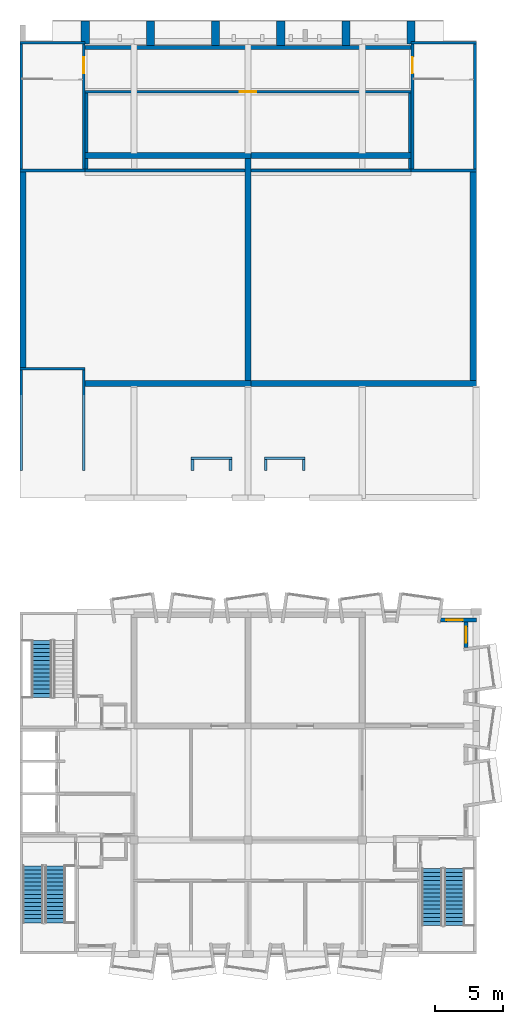
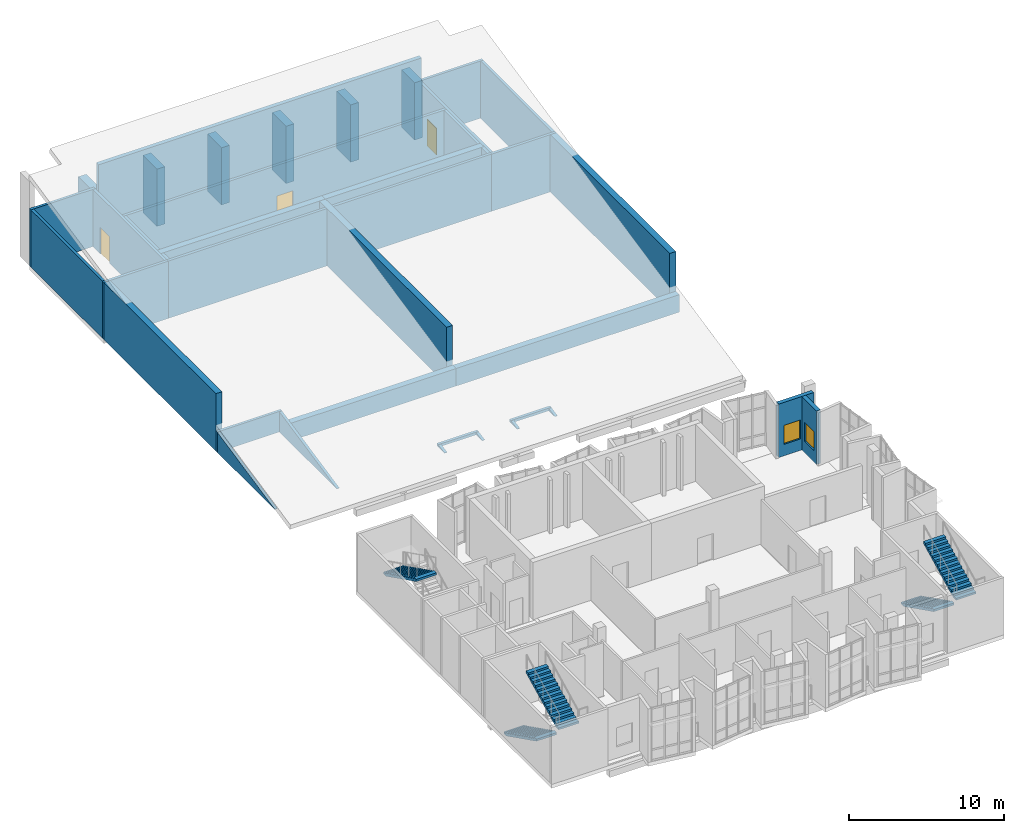
# One storey, part 13 of 19: 40 walls, 5 stair flights, 3 doors, 2 windows, 5 openings, 3 elements without a shape of their own.
"""IFC4 building model written with IfcOpenShell, lengths in metres."""

import ifcopenshell
import ifcopenshell.guid

model = None  # the IFC model being written
_history = None  # IfcOwnerHistory: only IFC2X3 demands one
_inside = {}  # id of a spatial element -> (the spatial element, [elements in it])
_under = {}  # id of a project, library or spatial element -> (it, [spatial elements below it])
_declared = {}  # id of a project -> (the project, [libraries it declares])
_typed = {}  # id of a type object -> (the type object, [elements of that type])
_made_of = {}  # id of a material, layer set ... -> (it, [elements and type objects made of it])


def new_model(schema):
    """Start an empty IFC model of exactly this schema.

    Asked for "IFC4X3", IfcOpenShell would pick the latest addendum, in which some entities
    have other attributes; the version numbers below select the first issue.
    IFC2X3 requires an IfcOwnerHistory on every rooted entity: one is made here for all.
    """
    global model, _history
    if schema == "IFC4X3":
        model = ifcopenshell.file(schema_version=(4, 3, 0, 0))
    else:
        model = ifcopenshell.file(schema=schema)
    _inside.clear()
    _under.clear()
    _declared.clear()
    _typed.clear()
    _made_of.clear()
    _history = None
    if model.schema == "IFC2X3":
        org = make("IfcOrganization", Name="unknown")
        user = make(
            "IfcPersonAndOrganization",
            ThePerson=make("IfcPerson", FamilyName="unknown"),
            TheOrganization=org,
        )
        app = make(
            "IfcApplication",
            ApplicationDeveloper=org,
            Version="unknown",
            ApplicationFullName="unknown",
            ApplicationIdentifier="unknown",
        )
        _history = make(
            "IfcOwnerHistory",
            OwningUser=user,
            OwningApplication=app,
            ChangeAction="ADDED",
            CreationDate=0,
        )
    return model


def make(cls, **values):
    """One entity of the class cls with the attributes given. An attribute that is None is left unset."""
    return model.create_entity(
        cls, **{name: value for name, value in values.items() if value is not None}
    )


def rooted(cls, **values):
    """An entity with a GlobalId (a new one), such as an element, a storey or a relation."""
    return make(cls, GlobalId=ifcopenshell.guid.new(), OwnerHistory=_history, **values)


def si_unit(unit_type, name, prefix=None):
    """IfcSIUnit, for example si_unit("LENGTHUNIT", "METRE", prefix="MILLI")."""
    return make("IfcSIUnit", UnitType=unit_type, Prefix=prefix, Name=name)


def assignment(units):
    """IfcUnitAssignment: the units of a project."""
    return None if units is None else make("IfcUnitAssignment", Units=units)


def point(xyz):
    """IfcCartesianPoint."""
    return None if xyz is None else make("IfcCartesianPoint", Coordinates=xyz)


def direction(xyz):
    """IfcDirection."""
    return None if xyz is None else make("IfcDirection", DirectionRatios=xyz)


def frame(location, z_axis=None, x_axis=None):
    """IfcAxis2Placement3D, a coordinate frame: its origin and axes. An axis left out is left unset."""
    return make(
        "IfcAxis2Placement3D",
        Location=point(location),
        Axis=direction(z_axis),
        RefDirection=direction(x_axis),
    )


def frame_2d(location, x_axis=None):
    """IfcAxis2Placement2D, a coordinate frame in the plane: its origin and x axis."""
    return make(
        "IfcAxis2Placement2D", Location=point(location), RefDirection=direction(x_axis)
    )


def origin():
    """The frame at (0, 0, 0) with its axes left unset."""
    return frame((0.0, 0.0, 0.0))


def place(relative_to, where):
    """IfcLocalPlacement: puts the frame where relative to a parent placement (None: the world)."""
    return make(
        "IfcLocalPlacement", PlacementRelTo=relative_to, RelativePlacement=where
    )


def context(
    kind, dimensions, precision=None, world=None, true_north=None, identifier=None
):
    """IfcGeometricRepresentationContext, for example the 3D "Model" context."""
    return make(
        "IfcGeometricRepresentationContext",
        ContextIdentifier=identifier,
        ContextType=kind,
        CoordinateSpaceDimension=dimensions,
        Precision=precision,
        WorldCoordinateSystem=world,
        TrueNorth=true_north,
    )


def subcontext(parent, identifier, kind, view, scale=None):
    """IfcGeometricRepresentationSubContext, for example "Body" below "Model"."""
    return make(
        "IfcGeometricRepresentationSubContext",
        ContextIdentifier=identifier,
        ContextType=kind,
        ParentContext=parent,
        TargetScale=scale,
        TargetView=view,
    )


def project(units=None, contexts=None):
    """IfcProject with its units and contexts."""
    return rooted(
        "IfcProject",
        Name="project",
        RepresentationContexts=contexts,
        UnitsInContext=assignment(units),
    )


def spatial(cls, under=None, at=None, **own):
    """A site, building, storey or space (cls), placed at a placement, below another one or the project."""
    s = rooted(cls, ObjectPlacement=at, **own)
    if under is not None:
        _under.setdefault(under.id(), (under, []))[1].append(s)
    return s


def polyline(points):
    """IfcPolyline through the points."""
    return make("IfcPolyline", Points=[point(p) for p in points])


def profile(cls, at=None, kind="AREA", **sizes):
    """A parametric profile (cls). Its sizes go by their IFC names, for example OverallWidth=200.0."""
    return make(cls, ProfileType=kind, Position=at, **sizes)


def rectangle(**sizes):
    """IfcRectangleProfileDef."""
    return profile("IfcRectangleProfileDef", **sizes)


def outline(outer, holes=None, kind="AREA"):
    """IfcArbitraryClosedProfileDef: a profile drawn as a closed curve; with holes, ...WithVoids."""
    if holes is None:
        return make("IfcArbitraryClosedProfileDef", ProfileType=kind, OuterCurve=outer)
    return make(
        "IfcArbitraryProfileDefWithVoids",
        ProfileType=kind,
        OuterCurve=outer,
        InnerCurves=holes,
    )


def extrude(swept, where, along, depth):
    """IfcExtrudedAreaSolid: the profile swept, set in the frame where, extruded along a direction by depth."""
    return make(
        "IfcExtrudedAreaSolid",
        SweptArea=swept,
        Position=where,
        ExtrudedDirection=direction(along),
        Depth=depth,
    )


def shape(context_of_items, identifier, shape_type, items):
    """IfcShapeRepresentation: the items that make up one representation, for example the "Body"."""
    return make(
        "IfcShapeRepresentation",
        ContextOfItems=context_of_items,
        RepresentationIdentifier=identifier,
        RepresentationType=shape_type,
        Items=items,
    )


def material(Name=None, Category=None):
    """IfcMaterial."""
    return make("IfcMaterial", Name=Name, Category=Category)


def layer(
    of_material, thickness, ventilated=None, Name=None, Category=None, Priority=None
):
    """IfcMaterialLayer: one layer of a wall or slab, of a material (None: an air gap)."""
    return make(
        "IfcMaterialLayer",
        Material=of_material,
        LayerThickness=thickness,
        IsVentilated=ventilated,
        Name=Name,
        Category=Category,
        Priority=Priority,
    )


def layer_set(layers, Name=None):
    """IfcMaterialLayerSet."""
    return make("IfcMaterialLayerSet", MaterialLayers=layers, LayerSetName=Name)


def made_of(thing, what):
    """Note that an element or type object is made of a material, layer set ...; save() writes the relation."""
    if what is not None:
        _made_of.setdefault(what.id(), (what, []))[1].append(thing)
    return thing


def type_object(cls, material=None, **own):
    """A type object (cls), such as IfcWallType, which elements share."""
    return made_of(rooted(cls, **own), material)


def element(
    cls,
    number,
    at=None,
    inside=None,
    cuts=None,
    type_object=None,
    material=None,
    context=None,
    identifier="Body",
    shape_type=None,
    held_by="IfcProductDefinitionShape",
    body=None,
    shapes=None,
    **own,
):
    """One element of the class cls, such as IfcWall. Its Tag is "e" and its number.

    at: its placement. inside: the storey or other place that contains it. cuts: it is an
    opening in that element (IfcRelVoidsElement). A single representation is given by context,
    identifier, shape_type and body (its items); several are given by shapes. held_by: the class
    of the entity that holds the representations. save() writes the other relations.
    """
    e = rooted(cls, Tag="e%d" % number, ObjectPlacement=at, **own)
    if body is not None:
        shapes = [shape(context, identifier, shape_type, body)]
    if shapes is not None:
        e.Representation = make(held_by, Representations=shapes)
    if inside is not None:
        _inside.setdefault(inside.id(), (inside, []))[1].append(e)
    if cuts is not None:
        rooted(
            "IfcRelVoidsElement", RelatingBuildingElement=cuts, RelatedOpeningElement=e
        )
    if type_object is not None:
        _typed.setdefault(type_object.id(), (type_object, []))[1].append(e)
    return made_of(e, material)


def fill(opening, filler):
    """IfcRelFillsElement: the door or window that sits in an opening."""
    return rooted(
        "IfcRelFillsElement",
        RelatingOpeningElement=opening,
        RelatedBuildingElement=filler,
    )


def aggregate(whole, parts):
    """IfcRelAggregates: a whole, such as a stair, and the parts it consists of."""
    return rooted("IfcRelAggregates", RelatingObject=whole, RelatedObjects=parts)


def save(model, path):
    """Write the relations noted so far, then the file.

    IfcRelAggregates (storeys below a building ...), IfcRelContainedInSpatialStructure (elements
    in a storey), IfcRelDefinesByType, IfcRelAssociatesMaterial and IfcRelDeclares: one each for
    every whole, place, type object, material and project.
    """
    for whole, parts in _under.values():
        aggregate(whole, parts)
    for where, things in _inside.values():
        rooted(
            "IfcRelContainedInSpatialStructure",
            RelatedElements=things,
            RelatingStructure=where,
        )
    for kind, things in _typed.values():
        rooted("IfcRelDefinesByType", RelatedObjects=things, RelatingType=kind)
    for what, things in _made_of.values():
        rooted("IfcRelAssociatesMaterial", RelatedObjects=things, RelatingMaterial=what)
    for by, libraries in _declared.values():
        rooted("IfcRelDeclares", RelatingContext=by, RelatedDefinitions=libraries)
    model.write(path)


model = new_model("IFC4")

# Units and contexts
model_context = context("Model", 3, precision=1e-05, world=origin(), true_north=direction((0.0, 1.0)))
body_context = subcontext(model_context, "Body", "Model", "MODEL_VIEW")
ifc_project = project(units=[si_unit("LENGTHUNIT", "METRE"), si_unit("AREAUNIT", "SQUARE_METRE"), si_unit("VOLUMEUNIT", "CUBIC_METRE"), si_unit("PLANEANGLEUNIT", "RADIAN"), si_unit("MASSUNIT", "GRAM", prefix="KILO")], contexts=[model_context])

# Site, building, storey
site_placement = place(None, origin())
site = spatial("IfcSite", under=ifc_project, at=site_placement, CompositionType="ELEMENT")
building_placement = place(site_placement, origin())
building = spatial("IfcBuilding", under=site, at=building_placement, Name="Kiln Court Media Centre", CompositionType="ELEMENT")
storey_placement = place(building_placement, frame((0.0, 0.0, 29.10009765625)))
storey = spatial("IfcBuildingStorey", under=building, at=storey_placement, Name="L06", CompositionType="ELEMENT", Elevation=29.10009765625)

# Wall, opening, window
ifc_material_1 = material(Name="Brick masonry facing leaf with RC backing", Category="masonry")
ifc_layer_1 = layer(ifc_material_1, 0.300048828125)
ifc_layer_set_1 = layer_set([ifc_layer_1], Name="Brick masonry cavity wall 300")
wall_type_1 = type_object("IfcWallType", Name="Brick masonry cavity wall 300", PredefinedType="SOLIDWALL", material=ifc_layer_set_1)
wall_1_placement = place(storey_placement, frame((32.85009765625, 24.449951171875, 0.0), z_axis=(0.0, 0.0, 1.0), x_axis=(0.0, -1.0, 0.0)))
wall_1 = element("IfcWall", 1, at=wall_1_placement, inside=storey, type_object=wall_type_1, Name="V6A-E facade L06 3009", PredefinedType="SOLIDWALL", context=body_context, shape_type="SweptSolid", body=[
    extrude(rectangle(XDim=1.88916015625, YDim=0.300048828125, at=frame_2d((0.944580078125, 0.0))), origin(), (0.0, 0.0, 1.0), 4.199951171875),
])
opening_1_placement = place(wall_1_placement, frame((0.344482421875, 0.0, 0.89990234375)))
opening_1 = element("IfcOpeningElement", 2, at=opening_1_placement, cuts=wall_1, Name="Opening WN6002", PredefinedType="OPENING", context=body_context, shape_type="SweptSolid", body=[
    extrude(rectangle(XDim=1.199951171875, YDim=1.5, at=frame_2d((0.60009765625, 0.75))), frame((0.0, 0.159912109375, 0.0), z_axis=(0.0, -1.0, 0.0), x_axis=(1.0, 0.0, 0.0)), (0.0, 0.0, 1.0), 0.320068359375),
])
ifc_material_2 = material(Name="Aluminium 6063-T6", Category="aluminium")
window_type = type_object("IfcWindowType", Name="Aluminium window 1200x1500", PartitioningType="DOUBLE_PANEL_VERTICAL", PredefinedType="WINDOW", material=ifc_material_2)
window_1_placement = place(opening_1_placement, origin())
window_1 = element("IfcWindow", 3, at=window_1_placement, inside=storey, type_object=window_type, Name="WB window WN6002", OverallHeight=1.5, OverallWidth=1.199951171875, PartitioningType="SINGLE_PANEL", PredefinedType="WINDOW", context=body_context, shape_type="SweptSolid", body=[
    extrude(rectangle(XDim=1.199951171875, YDim=1.5, at=frame_2d((0.60009765625, 0.75))), frame((0.0, 0.030029296875, 0.0), z_axis=(0.0, -1.0, 0.0), x_axis=(1.0, 0.0, 0.0)), (0.0, 0.0, 1.0), 0.06005859375),
])
fill(opening_1, window_1)

wall_2_placement = place(storey_placement, frame((30.98193359375, 24.60009765625, 0.0), z_axis=(0.0, 0.0, 1.0), x_axis=(1.0, 0.0, 0.0)))
wall_2 = element("IfcWall", 4, at=wall_2_placement, inside=storey, type_object=wall_type_1, Name="V6A-N facade L06 3023", PredefinedType="SOLIDWALL", context=body_context, shape_type="SweptSolid", body=[
    extrude(rectangle(XDim=2.6181640625, YDim=0.300048828125, at=frame_2d((1.30908203125, 0.0))), origin(), (0.0, 0.0, 1.0), 4.199951171875),
])
opening_2_placement = place(wall_2_placement, frame((0.408935546875, 0.0, 0.89990234375)))
opening_2 = element("IfcOpeningElement", 5, at=opening_2_placement, cuts=wall_2, Name="Opening WN6003", PredefinedType="OPENING", context=body_context, shape_type="SweptSolid", body=[
    extrude(rectangle(XDim=1.199951171875, YDim=1.5, at=frame_2d((0.60009765625, 0.75))), frame((0.0, 0.159912109375, 0.0), z_axis=(0.0, -1.0, 0.0), x_axis=(1.0, 0.0, 0.0)), (0.0, 0.0, 1.0), 0.320068359375),
])
window_2_placement = place(opening_2_placement, origin())
window_2 = element("IfcWindow", 6, at=window_2_placement, inside=storey, type_object=window_type, Name="WB window WN6003", OverallHeight=1.5, OverallWidth=1.199951171875, PartitioningType="SINGLE_PANEL", PredefinedType="WINDOW", context=body_context, shape_type="SweptSolid", body=[
    extrude(rectangle(XDim=1.199951171875, YDim=1.5, at=frame_2d((0.60009765625, 0.75))), frame((0.0, 0.030029296875, 0.0), z_axis=(0.0, -1.0, 0.0), x_axis=(1.0, 0.0, 0.0)), (0.0, 0.0, 1.0), 0.06005859375),
])
fill(opening_2, window_2)

# Walls
ifc_material_3 = material(Name="Concrete C40/50", Category="concrete")
ifc_layer_2 = layer(ifc_material_3, 0.449951171875)
ifc_layer_set_2 = layer_set([ifc_layer_2], Name="Concrete C40/50 auditorium wall 450")
wall_type_2 = type_object("IfcWallType", Name="Concrete C40/50 auditorium wall 450", PredefinedType="SHEAR", material=ifc_layer_set_2)
wall_3_placement = place(storey_placement, frame((17.02490234375, 42.0, 0.0), z_axis=(0.0, 0.0, 1.0), x_axis=(-1.0, 0.0, 0.0)))
element("IfcWall", 7, at=wall_3_placement, inside=storey, type_object=wall_type_2, Name="L06-W-1039", PredefinedType="SHEAR", context=body_context, shape_type="SweptSolid", body=[
    extrude(rectangle(XDim=12.224853515625, YDim=0.449951171875, at=frame_2d((6.1123046875, 0.0))), origin(), (0.0, 0.0, 1.0), 1.37646484375),
])
wall_4_placement = place(storey_placement, frame((4.800048828125, 58.800048828125, 0.0), z_axis=(0.0, 0.0, 1.0), x_axis=(1.0, 0.0, 0.0)))
element("IfcWall", 8, at=wall_4_placement, inside=storey, type_object=wall_type_2, Name="L06-W-1040", PredefinedType="SHEAR", context=body_context, shape_type="SweptSolid", body=[
    extrude(rectangle(XDim=12.224853515625, YDim=0.449951171875, at=frame_2d((6.1123046875, 0.0))), origin(), (0.0, 0.0, 1.0), 4.5),
])
wall_5_placement = place(storey_placement, frame((0.225341796875, 43.199951171875, 0.0), z_axis=(0.0, 0.0, 1.0), x_axis=(0.0, 1.0, 0.0)))
element("IfcWall", 9, at=wall_5_placement, inside=storey, type_object=wall_type_2, Name="L06-W-1041", PredefinedType="SHEAR", context=body_context, shape_type="SweptSolid", body=[
    extrude(rectangle(XDim=14.400146484375, YDim=0.449951171875, at=frame_2d((7.2001953125, 0.0))), origin(), (0.0, 0.0, 1.0), 4.5),
])
wall_6_placement = place(storey_placement, frame((16.800048828125, 58.574951171875, 0.0), z_axis=(0.0, 0.0, 1.0), x_axis=(0.0, -1.0, 0.0)))
element("IfcWall", 10, at=wall_6_placement, inside=storey, type_object=wall_type_2, Name="L06-W-1042", PredefinedType="SHEAR", context=body_context, shape_type="SweptSolid", body=[
    extrude(rectangle(XDim=16.349853515625, YDim=0.449951171875, at=frame_2d((8.1748046875, 0.0))), origin(), (0.0, 0.0, 1.0), 4.5),
])
wall_7_placement = place(storey_placement, frame((33.60009765625, 42.0, 0.0), z_axis=(0.0, 0.0, 1.0), x_axis=(-1.0, 0.0, 0.0)))
element("IfcWall", 11, at=wall_7_placement, inside=storey, type_object=wall_type_2, Name="L06-W-1043", PredefinedType="SHEAR", context=body_context, shape_type="SweptSolid", body=[
    extrude(rectangle(XDim=16.5751953125, YDim=0.449951171875, at=frame_2d((8.28759765625, 0.0))), origin(), (0.0, 0.0, 1.0), 1.37646484375),
])
wall_8_placement = place(storey_placement, frame((17.02490234375, 58.800048828125, 0.0), z_axis=(0.0, 0.0, 1.0), x_axis=(1.0, 0.0, 0.0)))
element("IfcWall", 12, at=wall_8_placement, inside=storey, type_object=wall_type_2, Name="L06-W-1044", PredefinedType="SHEAR", context=body_context, shape_type="SweptSolid", body=[
    extrude(rectangle(XDim=11.775146484375, YDim=0.449951171875, at=frame_2d((5.8876953125, 0.0))), origin(), (0.0, 0.0, 1.0), 4.5),
])
wall_9_placement = place(storey_placement, frame((33.375, 57.60009765625, 0.0), z_axis=(0.0, 0.0, 1.0), x_axis=(0.0, -1.0, 0.0)))
element("IfcWall", 13, at=wall_9_placement, inside=storey, type_object=wall_type_2, Name="L06-W-1045", PredefinedType="SHEAR", context=body_context, shape_type="SweptSolid", body=[
    extrude(rectangle(XDim=15.375, YDim=0.449951171875, at=frame_2d((7.6875, 0.0))), origin(), (0.0, 0.0, 1.0), 4.5),
])
ifc_material_4 = material(Name="Concrete C40/50", Category="concrete")
ifc_layer_3 = layer(ifc_material_4, 0.300048828125)
ifc_layer_set_3 = layer_set([ifc_layer_3], Name="Concrete C40/50 board-marked facade wall 300")
wall_type_3 = type_object("IfcWallType", Name="Concrete C40/50 board-marked facade wall 300", PredefinedType="SOLIDWALL", material=ifc_layer_set_3)
wall_10_placement = place(storey_placement, frame((4.800048828125, 66.75, 0.0), z_axis=(0.0, 0.0, 1.0), x_axis=(1.0, 0.0, 0.0)))
element("IfcWall", 14, at=wall_10_placement, inside=storey, type_object=wall_type_3, Name="V4 N facade wall 4000", PredefinedType="SOLIDWALL", context=body_context, shape_type="SweptSolid", body=[
    extrude(rectangle(XDim=24.0, YDim=0.300048828125, at=frame_2d((12.0, 0.0))), origin(), (0.0, 0.0, 1.0), 6.603515625),
])
ifc_material_5 = material(Name="Concrete C40/50", Category="concrete")
ifc_layer_4 = layer(ifc_material_5, 0.60009765625)
ifc_layer_set_4 = layer_set([ifc_layer_4], Name="Concrete C40/50 cast rib 600x1500")
wall_type_4 = type_object("IfcWallType", Name="Concrete C40/50 cast rib 600x1500", PredefinedType="SOLIDWALL", material=ifc_layer_set_4)
wall_11_placement = place(storey_placement, frame((4.800048828125, 67.0, 0.0), z_axis=(0.0, 0.0, 1.0), x_axis=(0.0, 1.0, 0.0)))
element("IfcWall", 15, at=wall_11_placement, inside=storey, type_object=wall_type_4, Name="V4 N cast rib 1", PredefinedType="SOLIDWALL", context=body_context, shape_type="SweptSolid", body=[
    extrude(rectangle(XDim=1.699951171875, YDim=0.60009765625, at=frame_2d((0.85009765625, 0.0))), origin(), (0.0, 0.0, 1.0), 4.5),
])
for number, where, z_axis, x_axis, name in (
    (16, (9.60009765625, 66.89990234375, 0.0), (0.0, 0.0, 1.0), (0.0, 1.0, 0.0), "V4 N cast rib 2"),
    (17, (14.39990234375, 66.89990234375, 0.0), (0.0, 0.0, 1.0), (0.0, 1.0, 0.0), "V4 N cast rib 3"),
    (18, (19.199951171875, 66.89990234375, 0.0), (0.0, 0.0, 1.0), (0.0, 1.0, 0.0), "V4 N cast rib 4"),
    (19, (24.0, 66.89990234375, 0.0), (0.0, 0.0, 1.0), (0.0, 1.0, 0.0), "V4 N cast rib 5"),
):
    element("IfcWall", number, at=place(storey_placement, frame(where, z_axis=z_axis, x_axis=x_axis)), inside=storey, type_object=wall_type_4, Name=name, PredefinedType="SOLIDWALL", context=body_context, shape_type="SweptSolid", body=[
        extrude(rectangle(XDim=1.800048828125, YDim=0.60009765625, at=frame_2d((0.89990234375, 0.0))), origin(), (0.0, 0.0, 1.0), 4.5),
    ])
wall_12_placement = place(storey_placement, frame((28.800048828125, 67.0, 0.0), z_axis=(0.0, 0.0, 1.0), x_axis=(0.0, 1.0, 0.0)))
element("IfcWall", 20, at=wall_12_placement, inside=storey, type_object=wall_type_4, Name="V4 N cast rib 6", PredefinedType="SOLIDWALL", context=body_context, shape_type="SweptSolid", body=[
    extrude(rectangle(XDim=1.699951171875, YDim=0.60009765625, at=frame_2d((0.85009765625, 0.0))), origin(), (0.0, 0.0, 1.0), 4.5),
])
ifc_material_6 = material(Name="Concrete C40/50", Category="concrete")
ifc_layer_5 = layer(ifc_material_6, 0.199951171875)
ifc_layer_set_5 = layer_set([ifc_layer_5], Name="Concrete C40/50 shear wall 200")
wall_type_5 = type_object("IfcWallType", Name="Concrete C40/50 shear wall 200", PredefinedType="SHEAR", material=ifc_layer_set_5)
wall_13_placement = place(storey_placement, frame((0.00048828125, 43.10009765625, 0.0), z_axis=(0.0, 0.0, 1.0), x_axis=(1.0, 0.0, 0.0)))
element("IfcWall", 21, at=wall_13_placement, inside=storey, type_object=wall_type_5, Name="L06-W-1012", PredefinedType="SHEAR", context=body_context, shape_type="SweptSolid", body=[
    extrude(rectangle(XDim=4.799560546875, YDim=0.199951171875, at=frame_2d((2.39990234375, 0.0))), origin(), (0.0, 0.0, 1.0), 1.6103515625),
])
wall_14_placement = place(storey_placement, frame((0.100341796875, 35.6181640625, 0.0), z_axis=(0.0, 0.0, 1.0), x_axis=(0.0, 1.0, 0.0)))
element("IfcWall", 22, at=wall_14_placement, inside=storey, type_object=wall_type_5, Name="L06-W-1013", PredefinedType="SHEAR", context=body_context, shape_type="SweptSolid", body=[
    extrude(outline(polyline([(0.0, 0.0), (7.3818359375, 0.0), (7.3818359375, 1.589111328125), (0.0, 0.02001953125), (0.0, 0.0)])), frame((0.0, 0.10009765625, 0.0), z_axis=(0.0, -1.0, 0.0), x_axis=(1.0, 0.0, 0.0)), (0.0, 0.0, 1.0), 0.199951171875),
])
wall_15_placement = place(storey_placement, frame((4.699951171875, 43.0, 0.0), z_axis=(0.0, 0.0, 1.0), x_axis=(0.0, -1.0, 0.0)))
element("IfcWall", 23, at=wall_15_placement, inside=storey, type_object=wall_type_5, Name="L06-W-1014", PredefinedType="SHEAR", context=body_context, shape_type="SweptSolid", body=[
    extrude(outline(polyline([(0.0, 0.0), (7.3818359375, 0.0), (7.3818359375, 0.02001953125), (0.0, 1.589111328125), (0.0, 0.0)])), frame((0.0, 0.10009765625, 0.0), z_axis=(0.0, -1.0, 0.0), x_axis=(1.0, 0.0, 0.0)), (0.0, 0.0, 1.0), 0.199951171875),
])
for number, where, z_axis, x_axis, name in (
    (24, (4.800048828125, 57.699951171875, 0.0), (0.0, 0.0, 1.0), (-1.0, 0.0, 0.0), "L06-W-1015"),
    (25, (0.00048828125, 67.10009765625, 0.0), (0.0, 0.0, 1.0), (1.0, 0.0, 0.0), "L06-W-1016"),
):
    element("IfcWall", number, at=place(storey_placement, frame(where, z_axis=z_axis, x_axis=x_axis)), inside=storey, type_object=wall_type_5, Name=name, PredefinedType="SHEAR", context=body_context, shape_type="SweptSolid", body=[
        extrude(rectangle(XDim=4.799560546875, YDim=0.199951171875, at=frame_2d((2.39990234375, 0.0))), origin(), (0.0, 0.0, 1.0), 4.5),
    ])
wall_16_placement = place(storey_placement, frame((0.100341796875, 57.800048828125, 0.0), z_axis=(0.0, 0.0, 1.0), x_axis=(0.0, 1.0, 0.0)))
element("IfcWall", 26, at=wall_16_placement, inside=storey, type_object=wall_type_5, Name="L06-W-1017", PredefinedType="SHEAR", context=body_context, shape_type="SweptSolid", body=[
    extrude(rectangle(XDim=9.199951171875, YDim=0.199951171875, at=frame_2d((4.60009765625, 0.0))), origin(), (0.0, 0.0, 1.0), 4.5),
])

# Wall, opening, door
wall_17_placement = place(storey_placement, frame((4.699951171875, 67.0, 0.0), z_axis=(0.0, 0.0, 1.0), x_axis=(0.0, -1.0, 0.0)))
wall_17 = element("IfcWall", 27, at=wall_17_placement, inside=storey, type_object=wall_type_5, Name="L06-W-1018", PredefinedType="SHEAR", context=body_context, shape_type="SweptSolid", body=[
    extrude(rectangle(XDim=9.199951171875, YDim=0.199951171875, at=frame_2d((4.60009765625, 0.0))), origin(), (0.0, 0.0, 1.0), 4.5),
])
opening_3_placement = place(wall_17_placement, frame((0.949951171875, 0.0, 0.0)))
opening_3 = element("IfcOpeningElement", 28, at=opening_3_placement, cuts=wall_17, Name="Opening D6001", PredefinedType="OPENING", context=body_context, shape_type="SweptSolid", body=[
    extrude(rectangle(XDim=1.199951171875, YDim=2.10009765625, at=frame_2d((0.60009765625, 1.050048828125))), frame((0.0, 0.10986328125, 0.0), z_axis=(0.0, -1.0, 0.0), x_axis=(1.0, 0.0, 0.0)), (0.0, 0.0, 1.0), 0.219970703125),
])
ifc_material_7 = material(Name="Steel S275", Category="steel")
door_type_1 = type_object("IfcDoorType", Name="Steel stair door 1200 x 2100 FD180", OperationType="SINGLE_SWING_LEFT", PredefinedType="DOOR", material=ifc_material_7)
door_1_placement = place(opening_3_placement, origin())
door_1 = element("IfcDoor", 29, at=door_1_placement, inside=storey, type_object=door_type_1, Name="Stair 7 / Plant Corridor", OperationType="SINGLE_SWING_RIGHT", OverallHeight=2.10009765625, OverallWidth=1.199951171875, PredefinedType="DOOR", context=body_context, shape_type="SweptSolid", body=[
    extrude(rectangle(XDim=1.199951171875, YDim=2.10009765625, at=frame_2d((0.60009765625, 1.050048828125))), frame((0.0, 0.02490234375, 0.0), z_axis=(0.0, -1.0, 0.0), x_axis=(1.0, 0.0, 0.0)), (0.0, 0.0, 1.0), 0.050048828125),
])
fill(opening_3, door_1)

# Walls
for number, where, z_axis, x_axis, name in (
    (30, (33.60009765625, 57.699951171875, 0.0), (0.0, 0.0, 1.0), (-1.0, 0.0, 0.0), "L06-W-1019"),
    (31, (28.800048828125, 67.10009765625, 0.0), (0.0, 0.0, 1.0), (1.0, 0.0, 0.0), "L06-W-1020"),
):
    element("IfcWall", number, at=place(storey_placement, frame(where, z_axis=z_axis, x_axis=x_axis)), inside=storey, type_object=wall_type_5, Name=name, PredefinedType="SHEAR", context=body_context, shape_type="SweptSolid", body=[
        extrude(rectangle(XDim=4.800048828125, YDim=0.199951171875, at=frame_2d((2.39990234375, 0.0))), origin(), (0.0, 0.0, 1.0), 4.5),
    ])

# Wall, opening, door
wall_18_placement = place(storey_placement, frame((28.89990234375, 57.800048828125, 0.0), z_axis=(0.0, 0.0, 1.0), x_axis=(0.0, 1.0, 0.0)))
wall_18 = element("IfcWall", 32, at=wall_18_placement, inside=storey, type_object=wall_type_5, Name="L06-W-1021", PredefinedType="SHEAR", context=body_context, shape_type="SweptSolid", body=[
    extrude(rectangle(XDim=9.199951171875, YDim=0.199951171875, at=frame_2d((4.60009765625, 0.0))), origin(), (0.0, 0.0, 1.0), 4.5),
])
opening_4_placement = place(wall_18_placement, frame((7.050048828125, 0.0, 0.0)))
opening_4 = element("IfcOpeningElement", 33, at=opening_4_placement, cuts=wall_18, Name="Opening D6023", PredefinedType="OPENING", context=body_context, shape_type="SweptSolid", body=[
    extrude(rectangle(XDim=1.199951171875, YDim=2.10009765625, at=frame_2d((0.60009765625, 1.050048828125))), frame((0.0, 0.10986328125, 0.0), z_axis=(0.0, -1.0, 0.0), x_axis=(1.0, 0.0, 0.0)), (0.0, 0.0, 1.0), 0.219970703125),
])
door_2_placement = place(opening_4_placement, origin())
door_2 = element("IfcDoor", 34, at=door_2_placement, inside=storey, type_object=door_type_1, Name="Stair 8 / Plant Corridor", OperationType="SINGLE_SWING_RIGHT", OverallHeight=2.10009765625, OverallWidth=1.199951171875, PredefinedType="DOOR", context=body_context, shape_type="SweptSolid", body=[
    extrude(rectangle(XDim=1.199951171875, YDim=2.10009765625, at=frame_2d((0.60009765625, 1.050048828125))), frame((0.0, 0.02490234375, 0.0), z_axis=(0.0, -1.0, 0.0), x_axis=(1.0, 0.0, 0.0)), (0.0, 0.0, 1.0), 0.050048828125),
])
fill(opening_4, door_2)

# Walls
wall_19_placement = place(storey_placement, frame((33.5, 67.0, 0.0), z_axis=(0.0, 0.0, 1.0), x_axis=(0.0, -1.0, 0.0)))
element("IfcWall", 35, at=wall_19_placement, inside=storey, type_object=wall_type_5, Name="L06-W-1022", PredefinedType="SHEAR", context=body_context, shape_type="SweptSolid", body=[
    extrude(rectangle(XDim=9.199951171875, YDim=0.199951171875, at=frame_2d((4.60009765625, 0.0))), origin(), (0.0, 0.0, 1.0), 4.5),
])
wall_20_placement = place(storey_placement, frame((12.60009765625, 36.5, 0.0), z_axis=(0.0, 0.0, 1.0), x_axis=(1.0, 0.0, 0.0)))
element("IfcWall", 36, at=wall_20_placement, inside=storey, type_object=wall_type_5, Name="L06-W-1033", PredefinedType="SHEAR", context=body_context, shape_type="SweptSolid", body=[
    extrude(rectangle(XDim=3.0, YDim=0.199951171875, at=frame_2d((1.5, 0.0))), origin(), (0.0, 0.0, 1.0), 0.20751953125),
])
wall_21_placement = place(storey_placement, frame((12.699951171875, 35.617919921875, 0.0), z_axis=(0.0, 0.0, 1.0), x_axis=(0.0, 1.0, 0.0)))
element("IfcWall", 37, at=wall_21_placement, inside=storey, type_object=wall_type_5, Name="L06-W-1034", PredefinedType="SHEAR", context=body_context, shape_type="SweptSolid", body=[
    extrude(outline(polyline([(0.0, 0.0), (0.781982421875, 0.0), (0.781982421875, 0.186279296875), (0.0, 0.02001953125), (0.0, 0.0)])), frame((0.0, 0.10009765625, 0.0), z_axis=(0.0, -1.0, 0.0), x_axis=(1.0, 0.0, 0.0)), (0.0, 0.0, 1.0), 0.199951171875),
])
wall_22_placement = place(storey_placement, frame((15.5, 36.39990234375, 0.0), z_axis=(0.0, 0.0, 1.0), x_axis=(0.0, -1.0, 0.0)))
element("IfcWall", 38, at=wall_22_placement, inside=storey, type_object=wall_type_5, Name="L06-W-1035", PredefinedType="SHEAR", context=body_context, shape_type="SweptSolid", body=[
    extrude(outline(polyline([(0.0, 0.0), (0.781982421875, 0.0), (0.781982421875, 0.02001953125), (0.0, 0.186279296875), (0.0, 0.0)])), frame((0.0, 0.10009765625, 0.0), z_axis=(0.0, -1.0, 0.0), x_axis=(1.0, 0.0, 0.0)), (0.0, 0.0, 1.0), 0.199951171875),
])
wall_23_placement = place(storey_placement, frame((18.0, 36.5, 0.0), z_axis=(0.0, 0.0, 1.0), x_axis=(1.0, 0.0, 0.0)))
element("IfcWall", 39, at=wall_23_placement, inside=storey, type_object=wall_type_5, Name="L06-W-1036", PredefinedType="SHEAR", context=body_context, shape_type="SweptSolid", body=[
    extrude(rectangle(XDim=3.0, YDim=0.199951171875, at=frame_2d((1.5, 0.0))), origin(), (0.0, 0.0, 1.0), 0.20751953125),
])
wall_24_placement = place(storey_placement, frame((18.10009765625, 35.617919921875, 0.0), z_axis=(0.0, 0.0, 1.0), x_axis=(0.0, 1.0, 0.0)))
element("IfcWall", 40, at=wall_24_placement, inside=storey, type_object=wall_type_5, Name="L06-W-1037", PredefinedType="SHEAR", context=body_context, shape_type="SweptSolid", body=[
    extrude(outline(polyline([(0.0, 0.0), (0.781982421875, 0.0), (0.781982421875, 0.186279296875), (0.0, 0.02001953125), (0.0, 0.0)])), frame((0.0, 0.10009765625, 0.0), z_axis=(0.0, -1.0, 0.0), x_axis=(1.0, 0.0, 0.0)), (0.0, 0.0, 1.0), 0.199951171875),
])
wall_25_placement = place(storey_placement, frame((20.89990234375, 36.39990234375, 0.0), z_axis=(0.0, 0.0, 1.0), x_axis=(0.0, -1.0, 0.0)))
element("IfcWall", 41, at=wall_25_placement, inside=storey, type_object=wall_type_5, Name="L06-W-1038", PredefinedType="SHEAR", context=body_context, shape_type="SweptSolid", body=[
    extrude(outline(polyline([(0.0, 0.0), (0.781982421875, 0.0), (0.781982421875, 0.02001953125), (0.0, 0.186279296875), (0.0, 0.0)])), frame((0.0, 0.10009765625, 0.0), z_axis=(0.0, -1.0, 0.0), x_axis=(1.0, 0.0, 0.0)), (0.0, 0.0, 1.0), 0.199951171875),
])
wall_26_placement = place(storey_placement, frame((16.574951171875, 57.699951171875, 0.0), z_axis=(0.0, 0.0, 1.0), x_axis=(-1.0, 0.0, 0.0)))
element("IfcWall", 42, at=wall_26_placement, inside=storey, type_object=wall_type_5, Name="L06-W-1053", PredefinedType="SHEAR", context=body_context, shape_type="SweptSolid", body=[
    extrude(rectangle(XDim=11.77490234375, YDim=0.199951171875, at=frame_2d((5.887451171875, 0.0))), origin(), (0.0, 0.0, 1.0), 4.5),
])
wall_27_placement = place(storey_placement, frame((28.800048828125, 57.699951171875, 0.0), z_axis=(0.0, 0.0, 1.0), x_axis=(-1.0, 0.0, 0.0)))
element("IfcWall", 43, at=wall_27_placement, inside=storey, type_object=wall_type_5, Name="L06-W-1054", PredefinedType="SHEAR", context=body_context, shape_type="SweptSolid", body=[
    extrude(rectangle(XDim=11.775146484375, YDim=0.199951171875, at=frame_2d((5.8876953125, 0.0))), origin(), (0.0, 0.0, 1.0), 4.5),
])

# Wall, opening, door
wall_28_placement = place(storey_placement, frame((4.800048828125, 63.5, 0.0), z_axis=(0.0, 0.0, 1.0), x_axis=(1.0, 0.0, 0.0)))
wall_28 = element("IfcWall", 44, at=wall_28_placement, inside=storey, type_object=wall_type_5, Name="L06-W-1055", PredefinedType="SHEAR", context=body_context, shape_type="SweptSolid", body=[
    extrude(rectangle(XDim=24.0, YDim=0.199951171875, at=frame_2d((12.0, 0.0))), origin(), (0.0, 0.0, 1.0), 4.5),
])
opening_5_placement = place(wall_28_placement, frame((11.39990234375, 0.0, 0.0)))
opening_5 = element("IfcOpeningElement", 45, at=opening_5_placement, cuts=wall_28, Name="Opening D6006", PredefinedType="OPENING", context=body_context, shape_type="SweptSolid", body=[
    extrude(rectangle(XDim=1.199951171875, YDim=2.10009765625, at=frame_2d((0.60009765625, 1.050048828125))), frame((0.0, 0.10986328125, 0.0), z_axis=(0.0, -1.0, 0.0), x_axis=(1.0, 0.0, 0.0)), (0.0, 0.0, 1.0), 0.219970703125),
])
ifc_material_8 = material(Name="Steel S275", Category="steel")
door_type_2 = type_object("IfcDoorType", Name="Steel plant door 1200 x 2100 FD180", OperationType="SINGLE_SWING_LEFT", PredefinedType="DOOR", material=ifc_material_8)
door_3_placement = place(opening_5_placement, origin())
door_3 = element("IfcDoor", 46, at=door_3_placement, inside=storey, type_object=door_type_2, Name="Roof Plant Room / Plant Corridor", OperationType="SINGLE_SWING_RIGHT", OverallHeight=2.10009765625, OverallWidth=1.199951171875, PredefinedType="DOOR", context=body_context, shape_type="SweptSolid", body=[
    extrude(rectangle(XDim=1.199951171875, YDim=2.10009765625, at=frame_2d((0.60009765625, 1.050048828125))), frame((0.0, 0.02490234375, 0.0), z_axis=(0.0, -1.0, 0.0), x_axis=(1.0, 0.0, 0.0)), (0.0, 0.0, 1.0), 0.050048828125),
])
fill(opening_5, door_3)

# Walls
wall_29_placement = place(storey_placement, frame((4.89990234375, 57.800048828125, 0.0), z_axis=(0.0, 0.0, 1.0), x_axis=(0.0, 1.0, 0.0)))
element("IfcWall", 47, at=wall_29_placement, inside=storey, type_object=wall_type_5, Name="L06-W-1056", PredefinedType="SHEAR", context=body_context, shape_type="SweptSolid", body=[
    extrude(rectangle(XDim=0.77490234375, YDim=0.199951171875, at=frame_2d((0.387451171875, 0.0))), origin(), (0.0, 0.0, 1.0), 4.5),
])
wall_30_placement = place(storey_placement, frame((4.89990234375, 59.02490234375, 0.0), z_axis=(0.0, 0.0, 1.0), x_axis=(0.0, 1.0, 0.0)))
element("IfcWall", 48, at=wall_30_placement, inside=storey, type_object=wall_type_5, Name="L06-W-1057", PredefinedType="SHEAR", context=body_context, shape_type="SweptSolid", body=[
    extrude(rectangle(XDim=4.375, YDim=0.199951171875, at=frame_2d((2.1875, 0.0))), origin(), (0.0, 0.0, 1.0), 4.5),
])
wall_31_placement = place(storey_placement, frame((28.699951171875, 58.574951171875, 0.0), z_axis=(0.0, 0.0, 1.0), x_axis=(0.0, -1.0, 0.0)))
element("IfcWall", 49, at=wall_31_placement, inside=storey, type_object=wall_type_5, Name="L06-W-1058", PredefinedType="SHEAR", context=body_context, shape_type="SweptSolid", body=[
    extrude(rectangle(XDim=0.77490234375, YDim=0.199951171875, at=frame_2d((0.387451171875, 0.0))), origin(), (0.0, 0.0, 1.0), 4.5),
])
wall_32_placement = place(storey_placement, frame((28.699951171875, 63.39990234375, 0.0), z_axis=(0.0, 0.0, 1.0), x_axis=(0.0, -1.0, 0.0)))
element("IfcWall", 50, at=wall_32_placement, inside=storey, type_object=wall_type_5, Name="L06-W-1059", PredefinedType="SHEAR", context=body_context, shape_type="SweptSolid", body=[
    extrude(rectangle(XDim=4.375, YDim=0.199951171875, at=frame_2d((2.1875, 0.0))), origin(), (0.0, 0.0, 1.0), 4.5),
])

# Stair, stair flights
ifc_material_9 = material(Name="Concrete C40/50", Category="concrete")
stair_type = type_object("IfcStairType", Name="Concrete C40/50 dog-leg stair 1500 wide, 150 riser", PredefinedType="HALF_TURN_STAIR", material=ifc_material_9)
stair_1_placement = place(storey_placement, origin())
stair_1 = element("IfcStair", 51, at=stair_1_placement, inside=storey, type_object=stair_type, Name="ST-01 L06", PredefinedType="HALF_TURN_STAIR")
ifc_material_10 = material(Name="Concrete C40/50", Category="concrete")
stair_flight_type = type_object("IfcStairFlightType", Name="Concrete C40/50 stair flight 1500 wide, 150 riser, 300 going", PredefinedType="STRAIGHT", material=ifc_material_10)
stair_flight_1_placement = place(storey_placement, frame((0.949951171875, 6.5, 0.0), z_axis=(0.0, 0.0, 1.0), x_axis=(0.0, -1.0, 0.0)))
stair_flight_1 = element("IfcStairFlight", 52, at=stair_flight_1_placement, type_object=stair_flight_type, Name="L06-ST-5000 flight 5000", NumberOfRisers=15, NumberOfTreads=14, PredefinedType="STRAIGHT", RiserHeight=0.15, TreadLength=0.3, context=body_context, shape_type="SweptSolid", body=[
    extrude(outline(polyline([(0.0, 0.0), (0.0, 0.14990234375), (0.300048828125, 0.14990234375), (0.300048828125, 0.300048828125), (0.60009765625, 0.300048828125), (0.60009765625, 0.449951171875), (0.89990234375, 0.449951171875), (0.89990234375, 0.60009765625), (1.199951171875, 0.60009765625), (1.199951171875, 0.75), (1.5, 0.75), (1.5, 0.89990234375), (1.800048828125, 0.89990234375), (1.800048828125, 1.050048828125), (2.10009765625, 1.050048828125), (2.10009765625, 1.199951171875), (2.39990234375, 1.199951171875), (2.39990234375, 1.35009765625), (2.699951171875, 1.35009765625), (2.699951171875, 1.5), (3.0, 1.5), (3.0, 1.64990234375), (3.300048828125, 1.64990234375), (3.300048828125, 1.800048828125), (3.60009765625, 1.800048828125), (3.60009765625, 1.949951171875), (3.89990234375, 1.949951171875), (3.89990234375, 2.10009765625), (4.199951171875, 2.10009765625), (4.199951171875, 2.25), (4.199951171875, 1.932373046875), (0.335205078125, 0.0), (0.0, 0.0)])), frame((0.0, 0.75, 0.0), z_axis=(0.0, -1.0, 0.0), x_axis=(1.0, 0.0, 0.0)), (0.0, 0.0, 1.0), 1.5),
])
stair_flight_2_placement = place(storey_placement, frame((2.60009765625, 2.300048828125, 2.25), z_axis=(0.0, 0.0, 1.0), x_axis=(0.0, 1.0, 0.0)))
stair_flight_2 = element("IfcStairFlight", 53, at=stair_flight_2_placement, type_object=stair_flight_type, Name="L06-ST-5000 flight 5001", NumberOfRisers=15, NumberOfTreads=14, PredefinedType="STRAIGHT", RiserHeight=0.15, TreadLength=0.3, context=body_context, shape_type="SweptSolid", body=[
    extrude(outline(polyline([(0.0, 0.0), (0.0, 0.14990234375), (0.300048828125, 0.14990234375), (0.300048828125, 0.300048828125), (0.60009765625, 0.300048828125), (0.60009765625, 0.449951171875), (0.89990234375, 0.449951171875), (0.89990234375, 0.60009765625), (1.199951171875, 0.60009765625), (1.199951171875, 0.75), (1.5, 0.75), (1.5, 0.89990234375), (1.800048828125, 0.89990234375), (1.800048828125, 1.050048828125), (2.10009765625, 1.050048828125), (2.10009765625, 1.199951171875), (2.39990234375, 1.199951171875), (2.39990234375, 1.35009765625), (2.699951171875, 1.35009765625), (2.699951171875, 1.5), (3.0, 1.5), (3.0, 1.64990234375), (3.300048828125, 1.64990234375), (3.300048828125, 1.800048828125), (3.60009765625, 1.800048828125), (3.60009765625, 1.949951171875), (3.89990234375, 1.949951171875), (3.89990234375, 2.10009765625), (4.199951171875, 2.10009765625), (4.199951171875, 2.25), (4.199951171875, 1.932373046875), (0.335205078125, 0.0), (0.0, 0.0)])), frame((0.0, 0.75, 0.0), z_axis=(0.0, -1.0, 0.0), x_axis=(1.0, 0.0, 0.0)), (0.0, 0.0, 1.0), 1.5),
])
aggregate(stair_1, [stair_flight_1, stair_flight_2])

# Stair, stair flight
stair_2_placement = place(storey_placement, origin())
stair_2 = element("IfcStair", 54, at=stair_2_placement, inside=storey, type_object=stair_type, Name="ST-02 L06", PredefinedType="HALF_TURN_STAIR")
stair_flight_3_placement = place(storey_placement, frame((1.60009765625, 23.10009765625, 2.25), z_axis=(0.0, 0.0, 1.0), x_axis=(0.0, -1.0, 0.0)))
stair_flight_3 = element("IfcStairFlight", 55, at=stair_flight_3_placement, type_object=stair_flight_type, Name="L06-ST-5001 flight 5003", NumberOfRisers=15, NumberOfTreads=14, PredefinedType="STRAIGHT", RiserHeight=0.15, TreadLength=0.3, context=body_context, shape_type="SweptSolid", body=[
    extrude(outline(polyline([(0.0, 0.0), (0.0, 0.14990234375), (0.300048828125, 0.14990234375), (0.300048828125, 0.300048828125), (0.60009765625, 0.300048828125), (0.60009765625, 0.449951171875), (0.89990234375, 0.449951171875), (0.89990234375, 0.60009765625), (1.199951171875, 0.60009765625), (1.199951171875, 0.75), (1.5, 0.75), (1.5, 0.89990234375), (1.800048828125, 0.89990234375), (1.800048828125, 1.050048828125), (2.10009765625, 1.050048828125), (2.10009765625, 1.199951171875), (2.39990234375, 1.199951171875), (2.39990234375, 1.35009765625), (2.699951171875, 1.35009765625), (2.699951171875, 1.5), (3.0, 1.5), (3.0, 1.64990234375), (3.300048828125, 1.64990234375), (3.300048828125, 1.800048828125), (3.60009765625, 1.800048828125), (3.60009765625, 1.949951171875), (3.89990234375, 1.949951171875), (3.89990234375, 2.10009765625), (4.199951171875, 2.10009765625), (4.199951171875, 2.25), (4.199951171875, 1.932373046875), (0.335205078125, 0.0), (0.0, 0.0)])), frame((0.0, 0.75, 0.0), z_axis=(0.0, -1.0, 0.0), x_axis=(1.0, 0.0, 0.0)), (0.0, 0.0, 1.0), 1.5),
])
aggregate(stair_2, [stair_flight_3])

# Stair, stair flights
stair_3_placement = place(storey_placement, origin())
stair_3 = element("IfcStair", 56, at=stair_3_placement, inside=storey, type_object=stair_type, Name="ST-03 L06", PredefinedType="HALF_TURN_STAIR")
stair_flight_4_placement = place(storey_placement, frame((30.35009765625, 6.300048828125, 0.0), z_axis=(0.0, 0.0, 1.0), x_axis=(0.0, -1.0, 0.0)))
stair_flight_4 = element("IfcStairFlight", 57, at=stair_flight_4_placement, type_object=stair_flight_type, Name="L06-ST-5002 flight 5004", NumberOfRisers=15, NumberOfTreads=14, PredefinedType="STRAIGHT", RiserHeight=0.15, TreadLength=0.3, context=body_context, shape_type="SweptSolid", body=[
    extrude(outline(polyline([(0.0, 0.0), (0.0, 0.14990234375), (0.300048828125, 0.14990234375), (0.300048828125, 0.300048828125), (0.60009765625, 0.300048828125), (0.60009765625, 0.449951171875), (0.89990234375, 0.449951171875), (0.89990234375, 0.60009765625), (1.199951171875, 0.60009765625), (1.199951171875, 0.75), (1.5, 0.75), (1.5, 0.89990234375), (1.800048828125, 0.89990234375), (1.800048828125, 1.050048828125), (2.10009765625, 1.050048828125), (2.10009765625, 1.199951171875), (2.39990234375, 1.199951171875), (2.39990234375, 1.35009765625), (2.699951171875, 1.35009765625), (2.699951171875, 1.5), (3.0, 1.5), (3.0, 1.64990234375), (3.300048828125, 1.64990234375), (3.300048828125, 1.800048828125), (3.60009765625, 1.800048828125), (3.60009765625, 1.949951171875), (3.89990234375, 1.949951171875), (3.89990234375, 2.10009765625), (4.199951171875, 2.10009765625), (4.199951171875, 2.25), (4.199951171875, 1.932373046875), (0.335205078125, 0.0), (0.0, 0.0)])), frame((0.0, 0.75, 0.0), z_axis=(0.0, -1.0, 0.0), x_axis=(1.0, 0.0, 0.0)), (0.0, 0.0, 1.0), 1.5),
])
stair_flight_5_placement = place(storey_placement, frame((32.0, 2.10009765625, 2.25), z_axis=(0.0, 0.0, 1.0), x_axis=(0.0, 1.0, 0.0)))
stair_flight_5 = element("IfcStairFlight", 58, at=stair_flight_5_placement, type_object=stair_flight_type, Name="L06-ST-5002 flight 5005", NumberOfRisers=15, NumberOfTreads=14, PredefinedType="STRAIGHT", RiserHeight=0.15, TreadLength=0.3, context=body_context, shape_type="SweptSolid", body=[
    extrude(outline(polyline([(0.0, 0.0), (0.0, 0.14990234375), (0.300048828125, 0.14990234375), (0.300048828125, 0.300048828125), (0.60009765625, 0.300048828125), (0.60009765625, 0.449951171875), (0.89990234375, 0.449951171875), (0.89990234375, 0.60009765625), (1.199951171875, 0.60009765625), (1.199951171875, 0.75), (1.5, 0.75), (1.5, 0.89990234375), (1.800048828125, 0.89990234375), (1.800048828125, 1.050048828125), (2.10009765625, 1.050048828125), (2.10009765625, 1.199951171875), (2.39990234375, 1.199951171875), (2.39990234375, 1.35009765625), (2.699951171875, 1.35009765625), (2.699951171875, 1.5), (3.0, 1.5), (3.0, 1.64990234375), (3.300048828125, 1.64990234375), (3.300048828125, 1.800048828125), (3.60009765625, 1.800048828125), (3.60009765625, 1.949951171875), (3.89990234375, 1.949951171875), (3.89990234375, 2.10009765625), (4.199951171875, 2.10009765625), (4.199951171875, 2.25), (4.199951171875, 1.932373046875), (0.335205078125, 0.0), (0.0, 0.0)])), frame((0.0, 0.75, 0.0), z_axis=(0.0, -1.0, 0.0), x_axis=(1.0, 0.0, 0.0)), (0.0, 0.0, 1.0), 1.5),
])
aggregate(stair_3, [stair_flight_4, stair_flight_5])

save(model, "model.ifc")
